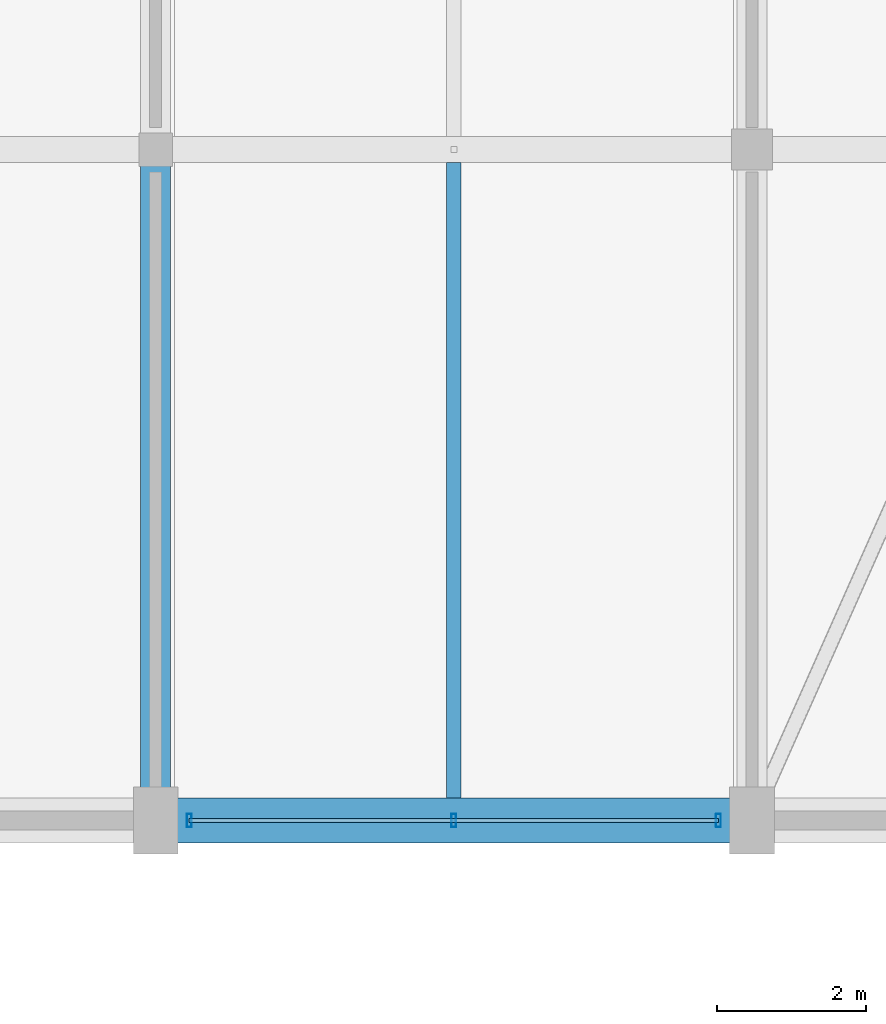
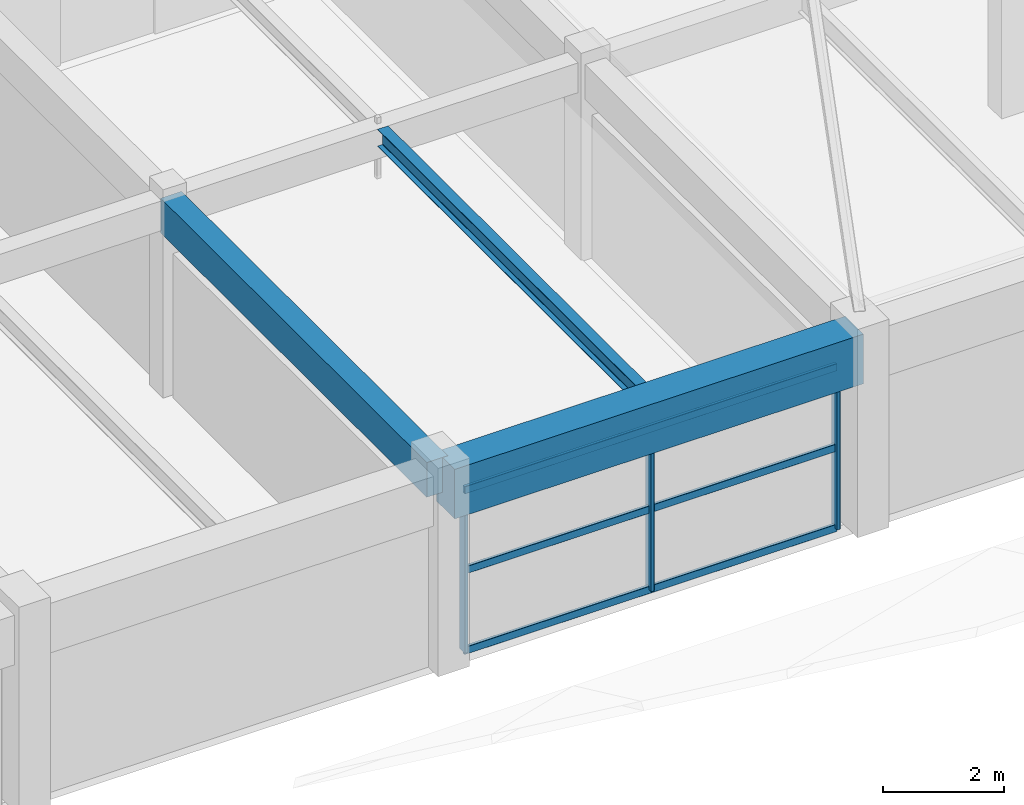
# One storey, part 62 of 126: 6 members, 3 beams, 1 element without a shape of its own.
"""IFC4 building model written with IfcOpenShell, lengths in metres."""

from ifc_helpers import new_model, si_unit, direction, frame, origin, origin_2d, place, context, subcontext, project, spatial, rectangle, hollow_rectangle, i_section, extrude, material, material_profile, profile_set, type_object, element, aggregate, save


model = new_model("IFC4")

# Units and contexts
model_context = context("Model", 3, precision=1e-05, world=origin(), true_north=direction((0.0, 1.0)))
body_context = subcontext(model_context, "Body", "Model", "MODEL_VIEW")
ifc_project = project(units=[si_unit("LENGTHUNIT", "METRE"), si_unit("AREAUNIT", "SQUARE_METRE"), si_unit("VOLUMEUNIT", "CUBIC_METRE"), si_unit("PLANEANGLEUNIT", "RADIAN"), si_unit("MASSUNIT", "GRAM", prefix="KILO")], contexts=[model_context])

# Site, building, storey
site_placement = place(None, origin())
site = spatial("IfcSite", under=ifc_project, at=site_placement, CompositionType="ELEMENT")
building_placement = place(site_placement, origin())
building = spatial("IfcBuilding", under=site, at=building_placement, Name="Varnabhumi Central Station", CompositionType="ELEMENT")
storey_placement = place(building_placement, frame((0.0, 0.0, 16.199951171875)))
storey = spatial("IfcBuildingStorey", under=building, at=storey_placement, Name="L03", CompositionType="ELEMENT", Elevation=16.199951171875)

# Beams
ifc_material_1 = material(Name="Concrete M50", Category="concrete")
ifc_material_profile_1 = material_profile(ifc_material_1, rectangle(XDim=0.60009765625, YDim=1.0, at=origin_2d()), Name="Concrete M50", Category="concrete")
ifc_profile_set_1 = profile_set([ifc_material_profile_1], Name="Concrete M50")
beam_type_1 = type_object("IfcBeamType", Name="BM-RC-600x1000", PredefinedType="BEAM", material=ifc_profile_set_1)
beam_1_placement = place(storey_placement, frame((88.10009765625, 80.0, 3.449951171875), z_axis=(1.0, 0.0, 0.0), x_axis=(0.0, 1.0, 0.0)))
element("IfcBeam", 1, at=beam_1_placement, inside=storey, type_object=beam_type_1, Name="Beam L03-K:12-13", PredefinedType="BEAM", context=body_context, shape_type="SweptSolid", body=[
    extrude(rectangle(XDim=0.60009765625, YDim=1.0, at=origin_2d()), origin(), (0.0, 0.0, 1.0), 7.7998046875),
])
ifc_material_2 = material(Name="Concrete M40", Category="concrete")
ifc_material_profile_2 = material_profile(ifc_material_2, rectangle(XDim=0.39990234375, YDim=0.699951171875, at=origin_2d()), Name="Concrete M40", Category="concrete")
ifc_profile_set_2 = profile_set([ifc_material_profile_2], Name="Concrete M40")
beam_type_2 = type_object("IfcBeamType", Name="BM-RC-700x400", PredefinedType="BEAM", material=ifc_profile_set_2)
beam_2_placement = place(storey_placement, frame((88.0, 80.10009765625, 3.60009765625), z_axis=(0.0, 1.0, 0.0), x_axis=(-1.0, 0.0, 0.0)))
element("IfcBeam", 2, at=beam_2_placement, inside=storey, type_object=beam_type_2, Name="Beam L03-12:K-L", PredefinedType="BEAM", context=body_context, shape_type="SweptSolid", body=[
    extrude(rectangle(XDim=0.39990234375, YDim=0.699951171875, at=origin_2d()), origin(), (0.0, 0.0, 1.0), 8.7998046875),
])
ifc_material_3 = material(Name="Structural steel E350", Category="steel")
ifc_material_profile_3 = material_profile(ifc_material_3, i_section(OverallWidth=0.199951171875, OverallDepth=0.35009765625, WebThickness=0.008056640625, FlangeThickness=0.011474609375, FilletRadius=0.011962890625, at=origin_2d()), Name="Structural steel E350", Category="steel")
ifc_profile_set_3 = profile_set([ifc_material_profile_3], Name="Structural steel E350")
beam_type_3 = type_object("IfcBeamType", Name="BM-STL-ISWB350", PredefinedType="JOIST", material=ifc_profile_set_3)
beam_3_placement = place(storey_placement, frame((92.0, 80.300048828125, 3.775146484375), z_axis=(0.0, 1.0, 0.0), x_axis=(-1.0, 0.0, 0.0)))
element("IfcBeam", 3, at=beam_3_placement, inside=storey, type_object=beam_type_3, Name="Secondary Joist L03-12/13:K-L", PredefinedType="JOIST", context=body_context, shape_type="SweptSolid", body=[
    extrude(i_section(OverallWidth=0.199951171875, OverallDepth=0.35009765625, WebThickness=0.008056640625, FlangeThickness=0.011474609375, FilletRadius=0.011962890625, at=origin_2d()), origin(), (0.0, 0.0, 1.0), 8.52490234375),
])

# Curtain wall, members
ifc_material_4 = material(Name="Anodised aluminium 6063-T6", Category="aluminium")
curtain_wall_type = type_object("IfcCurtainWallType", Name="CW-SPINE-SCREEN-L0", PredefinedType="NOTDEFINED", material=ifc_material_4)
curtain_wall_placement = place(storey_placement, origin())
curtain_wall = element("IfcCurtainWall", 4, at=curtain_wall_placement, inside=storey, type_object=curtain_wall_type, Name="Curtain Wall CW-NS308", PredefinedType="NOTDEFINED")
ifc_material_profile_4 = material_profile(ifc_material_4, hollow_rectangle(XDim=0.06494140625, YDim=0.179931640625, WallThickness=0.00390625, InnerFilletRadius=0.001953125, OuterFilletRadius=0.006103515625, at=origin_2d()), Name="Anodised aluminium 6063-T6", Category="aluminium")
ifc_profile_set_4 = profile_set([ifc_material_profile_4], Name="Anodised aluminium 6063-T6")
member_type_1 = type_object("IfcMemberType", Name="CW-MUL-180", PredefinedType="MULLION", material=ifc_profile_set_4)
member_1_placement = place(storey_placement, frame((88.449951171875, 80.0, 0.0), z_axis=(0.0, 0.0, 1.0), x_axis=(1.0, 0.0, 0.0)))
member_1 = element("IfcMember", 5, at=member_1_placement, type_object=member_type_1, Name="Curtain Wall Mullion CW-NS308-M1", PredefinedType="MULLION", context=body_context, shape_type="SweptSolid", body=[
    extrude(hollow_rectangle(XDim=0.06494140625, YDim=0.179931640625, WallThickness=0.00390625, InnerFilletRadius=0.001953125, OuterFilletRadius=0.006103515625, at=origin_2d()), origin(), (0.0, 0.0, 1.0), 3.239990234375),
])
member_2_placement = place(storey_placement, frame((92.0, 80.0, 0.0), z_axis=(0.0, 0.0, 1.0), x_axis=(1.0, 0.0, 0.0)))
member_2 = element("IfcMember", 6, at=member_2_placement, type_object=member_type_1, Name="Curtain Wall Mullion CW-NS308-M2", PredefinedType="MULLION", context=body_context, shape_type="SweptSolid", body=[
    extrude(hollow_rectangle(XDim=0.06494140625, YDim=0.179931640625, WallThickness=0.00390625, InnerFilletRadius=0.001953125, OuterFilletRadius=0.006103515625, at=origin_2d()), origin(), (0.0, 0.0, 1.0), 3.239990234375),
])
member_3_placement = place(storey_placement, frame((95.550048828125, 80.0, 0.0), z_axis=(0.0, 0.0, 1.0), x_axis=(1.0, 0.0, 0.0)))
member_3 = element("IfcMember", 7, at=member_3_placement, type_object=member_type_1, Name="Curtain Wall Mullion CW-NS308-M3", PredefinedType="MULLION", context=body_context, shape_type="SweptSolid", body=[
    extrude(hollow_rectangle(XDim=0.06494140625, YDim=0.179931640625, WallThickness=0.00390625, InnerFilletRadius=0.001953125, OuterFilletRadius=0.006103515625, at=origin_2d()), origin(), (0.0, 0.0, 1.0), 3.239990234375),
])
ifc_material_profile_5 = material_profile(ifc_material_4, hollow_rectangle(XDim=0.06005859375, YDim=0.14990234375, WallThickness=0.00390625, InnerFilletRadius=0.001953125, OuterFilletRadius=0.006103515625, at=origin_2d()), Name="Anodised aluminium 6063-T6", Category="aluminium")
ifc_profile_set_5 = profile_set([ifc_material_profile_5], Name="Anodised aluminium 6063-T6")
member_type_2 = type_object("IfcMemberType", Name="CW-TR-150", PredefinedType="USERDEFINED", material=ifc_profile_set_5)
member_4_placement = place(storey_placement, frame((88.449951171875, 80.0, 0.0), z_axis=(1.0, 0.0, 0.0), x_axis=(0.0, 1.0, 0.0)))
member_4 = element("IfcMember", 8, at=member_4_placement, type_object=member_type_2, Name="Curtain Wall Transom CW-NS308-T1", ObjectType="TRANSOM", PredefinedType="USERDEFINED", context=body_context, shape_type="SweptSolid", body=[
    extrude(hollow_rectangle(XDim=0.06005859375, YDim=0.14990234375, WallThickness=0.00390625, InnerFilletRadius=0.001953125, OuterFilletRadius=0.006103515625, at=origin_2d()), origin(), (0.0, 0.0, 1.0), 7.10009765625),
])
member_5_placement = place(storey_placement, frame((88.449951171875, 80.0, 1.6201171875), z_axis=(1.0, 0.0, 0.0), x_axis=(0.0, 1.0, 0.0)))
member_5 = element("IfcMember", 9, at=member_5_placement, type_object=member_type_2, Name="Curtain Wall Transom CW-NS308-T2", ObjectType="TRANSOM", PredefinedType="USERDEFINED", context=body_context, shape_type="SweptSolid", body=[
    extrude(hollow_rectangle(XDim=0.06005859375, YDim=0.14990234375, WallThickness=0.00390625, InnerFilletRadius=0.001953125, OuterFilletRadius=0.006103515625, at=origin_2d()), origin(), (0.0, 0.0, 1.0), 7.10009765625),
])
member_6_placement = place(storey_placement, frame((88.449951171875, 80.0, 3.239990234375), z_axis=(1.0, 0.0, 0.0), x_axis=(0.0, 1.0, 0.0)))
member_6 = element("IfcMember", 10, at=member_6_placement, type_object=member_type_2, Name="Curtain Wall Transom CW-NS308-T3", ObjectType="TRANSOM", PredefinedType="USERDEFINED", context=body_context, shape_type="SweptSolid", body=[
    extrude(hollow_rectangle(XDim=0.06005859375, YDim=0.14990234375, WallThickness=0.00390625, InnerFilletRadius=0.001953125, OuterFilletRadius=0.006103515625, at=origin_2d()), origin(), (0.0, 0.0, 1.0), 7.10009765625),
])
aggregate(curtain_wall, [member_1, member_2, member_3, member_4, member_5, member_6])

save(model, "model.ifc")
